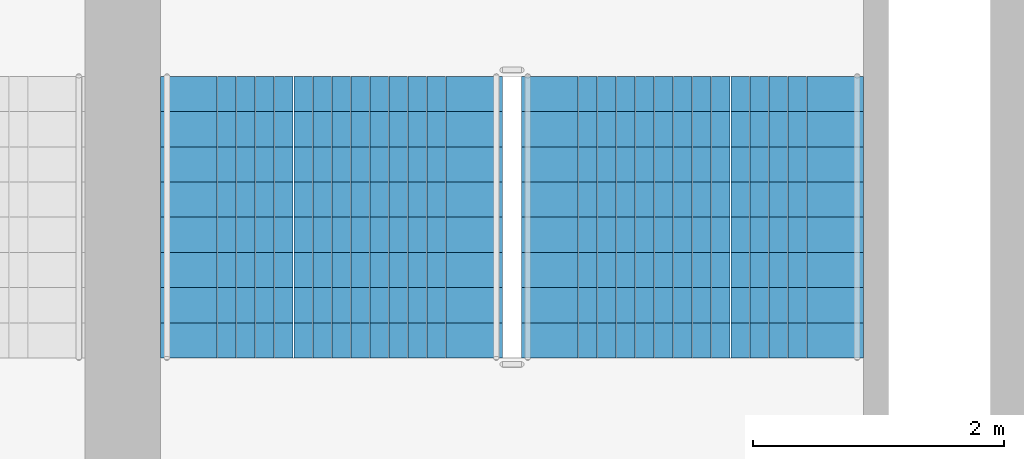
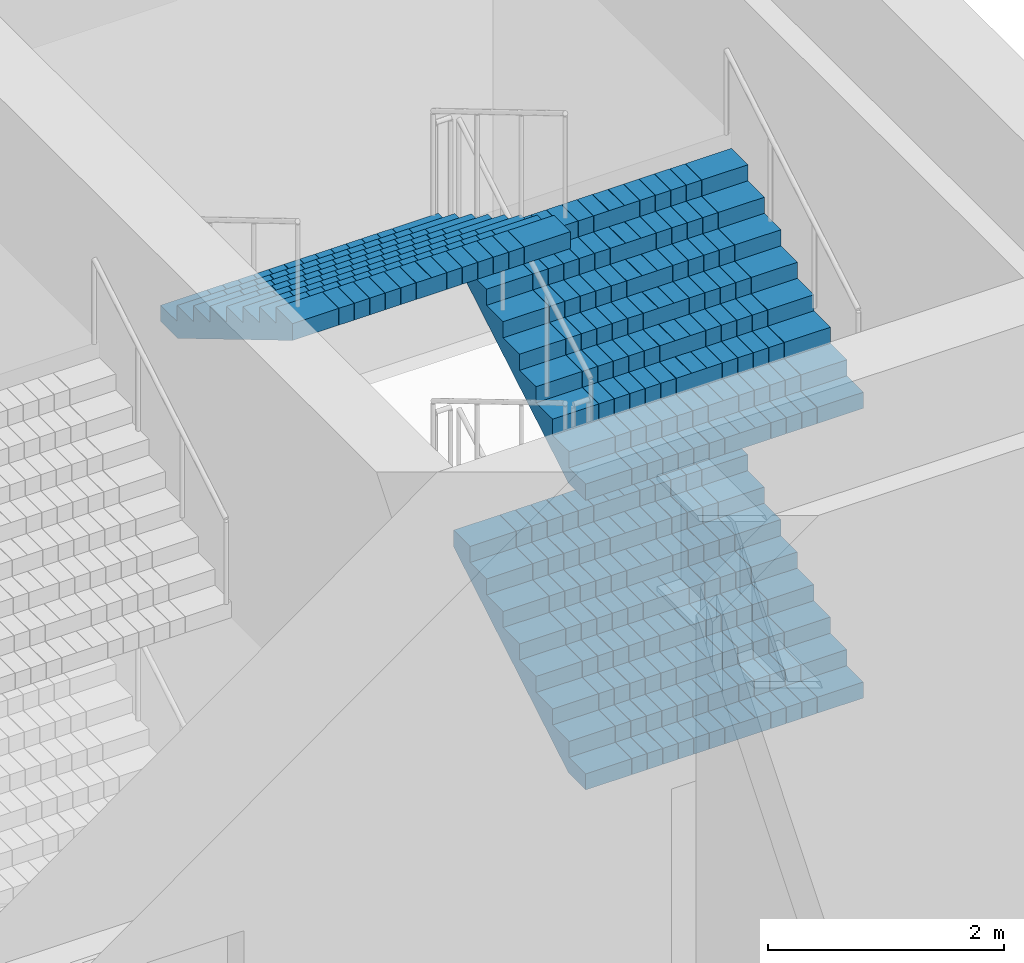
# One storey, part 50 of 61: 3 stair flights, 1 element without a shape of its own.
"""IFC4 building model written with IfcOpenShell, lengths in metres."""

from ifc_helpers import new_model, si_unit, direction, frame, origin, place, context, subcontext, project, spatial, polyline, outline, extrude, material, type_object, element, aggregate, save


model = new_model("IFC4")

# Units and contexts
model_context = context("Model", 3, precision=1e-05, world=origin(), true_north=direction((0.0, 1.0)))
body_context = subcontext(model_context, "Body", "Model", "MODEL_VIEW")
ifc_project = project(units=[si_unit("LENGTHUNIT", "METRE"), si_unit("AREAUNIT", "SQUARE_METRE"), si_unit("VOLUMEUNIT", "CUBIC_METRE"), si_unit("PLANEANGLEUNIT", "RADIAN"), si_unit("MASSUNIT", "GRAM", prefix="KILO")], contexts=[model_context])

# Site, building, storey
site_placement = place(None, origin())
site = spatial("IfcSite", under=ifc_project, at=site_placement, CompositionType="ELEMENT")
building_placement = place(site_placement, origin())
building = spatial("IfcBuilding", under=site, at=building_placement, Name="Corbelhall Arena Tower", CompositionType="ELEMENT")
storey_placement = place(building_placement, frame((0.0, 0.0, 31.0)))
storey = spatial("IfcBuildingStorey", under=building, at=storey_placement, Name="L04", CompositionType="ELEMENT", Elevation=31.0)

# Stair, stair flights
ifc_material = material(Name="Reinforced concrete C40/50", Category="concrete")
stair_type = type_object("IfcStairType", Name="AR-EXIT-STAIR", PredefinedType="HALF_TURN_STAIR", material=ifc_material)
stair_placement = place(storey_placement, origin())
stair = element("IfcStair", 1, at=stair_placement, inside=storey, type_object=stair_type, Name="L04 exit stair AS2", PredefinedType="HALF_TURN_STAIR")
stair_flight_type = type_object("IfcStairFlightType", Name="AR-EXIT-FLIGHT", PredefinedType="STRAIGHT", material=ifc_material)
stair_flight_1_placement = place(storey_placement, frame((45.030029296875, 27.320068359375, 0.0), z_axis=(0.0, 0.0, 1.0), x_axis=(0.0, 1.0, 0.0)))
stair_flight_1 = element("IfcStairFlight", 2, at=stair_flight_1_placement, type_object=stair_flight_type, Name="AS2 flight 1", NumberOfRisers=9, NumberOfTreads=8, PredefinedType="STRAIGHT", RiserHeight=0.166666667, TreadLength=0.28, context=body_context, shape_type="SweptSolid", body=[
    extrude(outline(polyline([(0.0, 0.0), (0.0, 0.166748046875), (0.280029296875, 0.166748046875), (0.280029296875, 0.333251953125), (0.56005859375, 0.333251953125), (0.56005859375, 0.5), (0.840087890625, 0.5), (0.840087890625, 0.666748046875), (1.1201171875, 0.666748046875), (1.1201171875, 0.833251953125), (1.39990234375, 0.833251953125), (1.39990234375, 1.0), (1.679931640625, 1.0), (1.679931640625, 1.166748046875), (1.9599609375, 1.166748046875), (1.9599609375, 1.333251953125), (2.239990234375, 1.333251953125), (2.239990234375, 1.5), (2.239990234375, 1.158935546875), (0.29296875, 0.0), (0.0, 0.0)])), frame((0.0, 1.35986328125, 0.0), z_axis=(0.0, -1.0, 0.0), x_axis=(1.0, 0.0, 0.0)), (0.0, 0.0, 1.0), 0.449951171875),
    extrude(outline(polyline([(0.0, 0.0), (0.0, 0.166748046875), (0.280029296875, 0.166748046875), (0.280029296875, 0.333251953125), (0.56005859375, 0.333251953125), (0.56005859375, 0.5), (0.840087890625, 0.5), (0.840087890625, 0.666748046875), (1.1201171875, 0.666748046875), (1.1201171875, 0.833251953125), (1.39990234375, 0.833251953125), (1.39990234375, 1.0), (1.679931640625, 1.0), (1.679931640625, 1.166748046875), (1.9599609375, 1.166748046875), (1.9599609375, 1.333251953125), (2.239990234375, 1.333251953125), (2.239990234375, 1.5), (2.239990234375, 1.158935546875), (0.29296875, 0.0), (0.0, 0.0)])), frame((0.0, 0.906005859375, 0.0), z_axis=(0.0, -1.0, 0.0), x_axis=(1.0, 0.0, 0.0)), (0.0, 0.0, 1.0), 0.147216796875),
    extrude(outline(polyline([(0.0, 0.0), (0.0, 0.166748046875), (0.280029296875, 0.166748046875), (0.280029296875, 0.333251953125), (0.56005859375, 0.333251953125), (0.56005859375, 0.5), (0.840087890625, 0.5), (0.840087890625, 0.666748046875), (1.1201171875, 0.666748046875), (1.1201171875, 0.833251953125), (1.39990234375, 0.833251953125), (1.39990234375, 1.0), (1.679931640625, 1.0), (1.679931640625, 1.166748046875), (1.9599609375, 1.166748046875), (1.9599609375, 1.333251953125), (2.239990234375, 1.333251953125), (2.239990234375, 1.5), (2.239990234375, 1.158935546875), (0.29296875, 0.0), (0.0, 0.0)])), frame((0.0, 0.754638671875, 0.0), z_axis=(0.0, -1.0, 0.0), x_axis=(1.0, 0.0, 0.0)), (0.0, 0.0, 1.0), 0.147216796875),
    extrude(outline(polyline([(0.0, 0.0), (0.0, 0.166748046875), (0.280029296875, 0.166748046875), (0.280029296875, 0.333251953125), (0.56005859375, 0.333251953125), (0.56005859375, 0.5), (0.840087890625, 0.5), (0.840087890625, 0.666748046875), (1.1201171875, 0.666748046875), (1.1201171875, 0.833251953125), (1.39990234375, 0.833251953125), (1.39990234375, 1.0), (1.679931640625, 1.0), (1.679931640625, 1.166748046875), (1.9599609375, 1.166748046875), (1.9599609375, 1.333251953125), (2.239990234375, 1.333251953125), (2.239990234375, 1.5), (2.239990234375, 1.158935546875), (0.29296875, 0.0), (0.0, 0.0)])), frame((0.0, 0.603271484375, 0.0), z_axis=(0.0, -1.0, 0.0), x_axis=(1.0, 0.0, 0.0)), (0.0, 0.0, 1.0), 0.147216796875),
    extrude(outline(polyline([(0.0, 0.0), (0.0, 0.166748046875), (0.280029296875, 0.166748046875), (0.280029296875, 0.333251953125), (0.56005859375, 0.333251953125), (0.56005859375, 0.5), (0.840087890625, 0.5), (0.840087890625, 0.666748046875), (1.1201171875, 0.666748046875), (1.1201171875, 0.833251953125), (1.39990234375, 0.833251953125), (1.39990234375, 1.0), (1.679931640625, 1.0), (1.679931640625, 1.166748046875), (1.9599609375, 1.166748046875), (1.9599609375, 1.333251953125), (2.239990234375, 1.333251953125), (2.239990234375, 1.5), (2.239990234375, 1.158935546875), (0.29296875, 0.0), (0.0, 0.0)])), frame((0.0, 0.451904296875, 0.0), z_axis=(0.0, -1.0, 0.0), x_axis=(1.0, 0.0, 0.0)), (0.0, 0.0, 1.0), 0.147216796875),
    extrude(outline(polyline([(0.0, 0.0), (0.0, 0.166748046875), (0.280029296875, 0.166748046875), (0.280029296875, 0.333251953125), (0.56005859375, 0.333251953125), (0.56005859375, 0.5), (0.840087890625, 0.5), (0.840087890625, 0.666748046875), (1.1201171875, 0.666748046875), (1.1201171875, 0.833251953125), (1.39990234375, 0.833251953125), (1.39990234375, 1.0), (1.679931640625, 1.0), (1.679931640625, 1.166748046875), (1.9599609375, 1.166748046875), (1.9599609375, 1.333251953125), (2.239990234375, 1.333251953125), (2.239990234375, 1.5), (2.239990234375, 1.158935546875), (0.29296875, 0.0), (0.0, 0.0)])), frame((0.0, 0.30078125, 0.0), z_axis=(0.0, -1.0, 0.0), x_axis=(1.0, 0.0, 0.0)), (0.0, 0.0, 1.0), 0.147216796875),
    extrude(outline(polyline([(0.0, 0.0), (0.0, 0.166748046875), (0.280029296875, 0.166748046875), (0.280029296875, 0.333251953125), (0.56005859375, 0.333251953125), (0.56005859375, 0.5), (0.840087890625, 0.5), (0.840087890625, 0.666748046875), (1.1201171875, 0.666748046875), (1.1201171875, 0.833251953125), (1.39990234375, 0.833251953125), (1.39990234375, 1.0), (1.679931640625, 1.0), (1.679931640625, 1.166748046875), (1.9599609375, 1.166748046875), (1.9599609375, 1.333251953125), (2.239990234375, 1.333251953125), (2.239990234375, 1.5), (2.239990234375, 1.158935546875), (0.29296875, 0.0), (0.0, 0.0)])), frame((0.0, 0.1494140625, 0.0), z_axis=(0.0, -1.0, 0.0), x_axis=(1.0, 0.0, 0.0)), (0.0, 0.0, 1.0), 0.147216796875),
    extrude(outline(polyline([(0.0, 0.0), (0.0, 0.166748046875), (0.280029296875, 0.166748046875), (0.280029296875, 0.333251953125), (0.56005859375, 0.333251953125), (0.56005859375, 0.5), (0.840087890625, 0.5), (0.840087890625, 0.666748046875), (1.1201171875, 0.666748046875), (1.1201171875, 0.833251953125), (1.39990234375, 0.833251953125), (1.39990234375, 1.0), (1.679931640625, 1.0), (1.679931640625, 1.166748046875), (1.9599609375, 1.166748046875), (1.9599609375, 1.333251953125), (2.239990234375, 1.333251953125), (2.239990234375, 1.5), (2.239990234375, 1.158935546875), (0.29296875, 0.0), (0.0, 0.0)])), frame((0.0, -0.001953125, 0.0), z_axis=(0.0, -1.0, 0.0), x_axis=(1.0, 0.0, 0.0)), (0.0, 0.0, 1.0), 0.147216796875),
    extrude(outline(polyline([(0.0, 0.0), (0.0, 0.166748046875), (0.280029296875, 0.166748046875), (0.280029296875, 0.333251953125), (0.56005859375, 0.333251953125), (0.56005859375, 0.5), (0.840087890625, 0.5), (0.840087890625, 0.666748046875), (1.1201171875, 0.666748046875), (1.1201171875, 0.833251953125), (1.39990234375, 0.833251953125), (1.39990234375, 1.0), (1.679931640625, 1.0), (1.679931640625, 1.166748046875), (1.9599609375, 1.166748046875), (1.9599609375, 1.333251953125), (2.239990234375, 1.333251953125), (2.239990234375, 1.5), (2.239990234375, 1.158935546875), (0.29296875, 0.0), (0.0, 0.0)])), frame((0.0, -0.1533203125, 0.0), z_axis=(0.0, -1.0, 0.0), x_axis=(1.0, 0.0, 0.0)), (0.0, 0.0, 1.0), 0.147216796875),
    extrude(outline(polyline([(0.0, 0.0), (0.0, 0.166748046875), (0.280029296875, 0.166748046875), (0.280029296875, 0.333251953125), (0.56005859375, 0.333251953125), (0.56005859375, 0.5), (0.840087890625, 0.5), (0.840087890625, 0.666748046875), (1.1201171875, 0.666748046875), (1.1201171875, 0.833251953125), (1.39990234375, 0.833251953125), (1.39990234375, 1.0), (1.679931640625, 1.0), (1.679931640625, 1.166748046875), (1.9599609375, 1.166748046875), (1.9599609375, 1.333251953125), (2.239990234375, 1.333251953125), (2.239990234375, 1.5), (2.239990234375, 1.158935546875), (0.29296875, 0.0), (0.0, 0.0)])), frame((0.0, -0.3046875, 0.0), z_axis=(0.0, -1.0, 0.0), x_axis=(1.0, 0.0, 0.0)), (0.0, 0.0, 1.0), 0.147216796875),
    extrude(outline(polyline([(0.0, 0.0), (0.0, 0.166748046875), (0.280029296875, 0.166748046875), (0.280029296875, 0.333251953125), (0.56005859375, 0.333251953125), (0.56005859375, 0.5), (0.840087890625, 0.5), (0.840087890625, 0.666748046875), (1.1201171875, 0.666748046875), (1.1201171875, 0.833251953125), (1.39990234375, 0.833251953125), (1.39990234375, 1.0), (1.679931640625, 1.0), (1.679931640625, 1.166748046875), (1.9599609375, 1.166748046875), (1.9599609375, 1.333251953125), (2.239990234375, 1.333251953125), (2.239990234375, 1.5), (2.239990234375, 1.158935546875), (0.29296875, 0.0), (0.0, 0.0)])), frame((0.0, -0.4560546875, 0.0), z_axis=(0.0, -1.0, 0.0), x_axis=(1.0, 0.0, 0.0)), (0.0, 0.0, 1.0), 0.147216796875),
    extrude(outline(polyline([(0.0, 0.0), (0.0, 0.166748046875), (0.280029296875, 0.166748046875), (0.280029296875, 0.333251953125), (0.56005859375, 0.333251953125), (0.56005859375, 0.5), (0.840087890625, 0.5), (0.840087890625, 0.666748046875), (1.1201171875, 0.666748046875), (1.1201171875, 0.833251953125), (1.39990234375, 0.833251953125), (1.39990234375, 1.0), (1.679931640625, 1.0), (1.679931640625, 1.166748046875), (1.9599609375, 1.166748046875), (1.9599609375, 1.333251953125), (2.239990234375, 1.333251953125), (2.239990234375, 1.5), (2.239990234375, 1.158935546875), (0.29296875, 0.0), (0.0, 0.0)])), frame((0.0, -0.607421875, 0.0), z_axis=(0.0, -1.0, 0.0), x_axis=(1.0, 0.0, 0.0)), (0.0, 0.0, 1.0), 0.147216796875),
    extrude(outline(polyline([(0.0, 0.0), (0.0, 0.166748046875), (0.280029296875, 0.166748046875), (0.280029296875, 0.333251953125), (0.56005859375, 0.333251953125), (0.56005859375, 0.5), (0.840087890625, 0.5), (0.840087890625, 0.666748046875), (1.1201171875, 0.666748046875), (1.1201171875, 0.833251953125), (1.39990234375, 0.833251953125), (1.39990234375, 1.0), (1.679931640625, 1.0), (1.679931640625, 1.166748046875), (1.9599609375, 1.166748046875), (1.9599609375, 1.333251953125), (2.239990234375, 1.333251953125), (2.239990234375, 1.5), (2.239990234375, 1.158935546875), (0.29296875, 0.0), (0.0, 0.0)])), frame((0.0, -0.758544921875, 0.0), z_axis=(0.0, -1.0, 0.0), x_axis=(1.0, 0.0, 0.0)), (0.0, 0.0, 1.0), 0.147216796875),
    extrude(outline(polyline([(0.0, 0.0), (0.0, 0.166748046875), (0.280029296875, 0.166748046875), (0.280029296875, 0.333251953125), (0.56005859375, 0.333251953125), (0.56005859375, 0.5), (0.840087890625, 0.5), (0.840087890625, 0.666748046875), (1.1201171875, 0.666748046875), (1.1201171875, 0.833251953125), (1.39990234375, 0.833251953125), (1.39990234375, 1.0), (1.679931640625, 1.0), (1.679931640625, 1.166748046875), (1.9599609375, 1.166748046875), (1.9599609375, 1.333251953125), (2.239990234375, 1.333251953125), (2.239990234375, 1.5), (2.239990234375, 1.158935546875), (0.29296875, 0.0), (0.0, 0.0)])), frame((0.0, -0.909912109375, 0.0), z_axis=(0.0, -1.0, 0.0), x_axis=(1.0, 0.0, 0.0)), (0.0, 0.0, 1.0), 0.449951171875),
])
stair_flight_2_placement = place(storey_placement, frame((45.030029296875, 27.320068359375, 3.0), z_axis=(0.0, 0.0, 1.0), x_axis=(0.0, 1.0, 0.0)))
stair_flight_2 = element("IfcStairFlight", 3, at=stair_flight_2_placement, type_object=stair_flight_type, Name="AS2 flight 3", NumberOfRisers=9, NumberOfTreads=8, PredefinedType="STRAIGHT", RiserHeight=0.166666667, TreadLength=0.28, context=body_context, shape_type="SweptSolid", body=[
    extrude(outline(polyline([(0.0, 0.0), (0.0, 0.166748046875), (0.280029296875, 0.166748046875), (0.280029296875, 0.333251953125), (0.56005859375, 0.333251953125), (0.56005859375, 0.5), (0.840087890625, 0.5), (0.840087890625, 0.666748046875), (1.1201171875, 0.666748046875), (1.1201171875, 0.833251953125), (1.39990234375, 0.833251953125), (1.39990234375, 1.0), (1.679931640625, 1.0), (1.679931640625, 1.166748046875), (1.9599609375, 1.166748046875), (1.9599609375, 1.333251953125), (2.239990234375, 1.333251953125), (2.239990234375, 1.5), (2.239990234375, 1.158935546875), (0.29296875, 0.0), (0.0, 0.0)])), frame((0.0, 1.35986328125, 0.0), z_axis=(0.0, -1.0, 0.0), x_axis=(1.0, 0.0, 0.0)), (0.0, 0.0, 1.0), 0.449951171875),
    extrude(outline(polyline([(0.0, 0.0), (0.0, 0.166748046875), (0.280029296875, 0.166748046875), (0.280029296875, 0.333251953125), (0.56005859375, 0.333251953125), (0.56005859375, 0.5), (0.840087890625, 0.5), (0.840087890625, 0.666748046875), (1.1201171875, 0.666748046875), (1.1201171875, 0.833251953125), (1.39990234375, 0.833251953125), (1.39990234375, 1.0), (1.679931640625, 1.0), (1.679931640625, 1.166748046875), (1.9599609375, 1.166748046875), (1.9599609375, 1.333251953125), (2.239990234375, 1.333251953125), (2.239990234375, 1.5), (2.239990234375, 1.158935546875), (0.29296875, 0.0), (0.0, 0.0)])), frame((0.0, 0.906005859375, 0.0), z_axis=(0.0, -1.0, 0.0), x_axis=(1.0, 0.0, 0.0)), (0.0, 0.0, 1.0), 0.147216796875),
    extrude(outline(polyline([(0.0, 0.0), (0.0, 0.166748046875), (0.280029296875, 0.166748046875), (0.280029296875, 0.333251953125), (0.56005859375, 0.333251953125), (0.56005859375, 0.5), (0.840087890625, 0.5), (0.840087890625, 0.666748046875), (1.1201171875, 0.666748046875), (1.1201171875, 0.833251953125), (1.39990234375, 0.833251953125), (1.39990234375, 1.0), (1.679931640625, 1.0), (1.679931640625, 1.166748046875), (1.9599609375, 1.166748046875), (1.9599609375, 1.333251953125), (2.239990234375, 1.333251953125), (2.239990234375, 1.5), (2.239990234375, 1.158935546875), (0.29296875, 0.0), (0.0, 0.0)])), frame((0.0, 0.754638671875, 0.0), z_axis=(0.0, -1.0, 0.0), x_axis=(1.0, 0.0, 0.0)), (0.0, 0.0, 1.0), 0.147216796875),
    extrude(outline(polyline([(0.0, 0.0), (0.0, 0.166748046875), (0.280029296875, 0.166748046875), (0.280029296875, 0.333251953125), (0.56005859375, 0.333251953125), (0.56005859375, 0.5), (0.840087890625, 0.5), (0.840087890625, 0.666748046875), (1.1201171875, 0.666748046875), (1.1201171875, 0.833251953125), (1.39990234375, 0.833251953125), (1.39990234375, 1.0), (1.679931640625, 1.0), (1.679931640625, 1.166748046875), (1.9599609375, 1.166748046875), (1.9599609375, 1.333251953125), (2.239990234375, 1.333251953125), (2.239990234375, 1.5), (2.239990234375, 1.158935546875), (0.29296875, 0.0), (0.0, 0.0)])), frame((0.0, 0.603271484375, 0.0), z_axis=(0.0, -1.0, 0.0), x_axis=(1.0, 0.0, 0.0)), (0.0, 0.0, 1.0), 0.147216796875),
    extrude(outline(polyline([(0.0, 0.0), (0.0, 0.166748046875), (0.280029296875, 0.166748046875), (0.280029296875, 0.333251953125), (0.56005859375, 0.333251953125), (0.56005859375, 0.5), (0.840087890625, 0.5), (0.840087890625, 0.666748046875), (1.1201171875, 0.666748046875), (1.1201171875, 0.833251953125), (1.39990234375, 0.833251953125), (1.39990234375, 1.0), (1.679931640625, 1.0), (1.679931640625, 1.166748046875), (1.9599609375, 1.166748046875), (1.9599609375, 1.333251953125), (2.239990234375, 1.333251953125), (2.239990234375, 1.5), (2.239990234375, 1.158935546875), (0.29296875, 0.0), (0.0, 0.0)])), frame((0.0, 0.451904296875, 0.0), z_axis=(0.0, -1.0, 0.0), x_axis=(1.0, 0.0, 0.0)), (0.0, 0.0, 1.0), 0.147216796875),
    extrude(outline(polyline([(0.0, 0.0), (0.0, 0.166748046875), (0.280029296875, 0.166748046875), (0.280029296875, 0.333251953125), (0.56005859375, 0.333251953125), (0.56005859375, 0.5), (0.840087890625, 0.5), (0.840087890625, 0.666748046875), (1.1201171875, 0.666748046875), (1.1201171875, 0.833251953125), (1.39990234375, 0.833251953125), (1.39990234375, 1.0), (1.679931640625, 1.0), (1.679931640625, 1.166748046875), (1.9599609375, 1.166748046875), (1.9599609375, 1.333251953125), (2.239990234375, 1.333251953125), (2.239990234375, 1.5), (2.239990234375, 1.158935546875), (0.29296875, 0.0), (0.0, 0.0)])), frame((0.0, 0.30078125, 0.0), z_axis=(0.0, -1.0, 0.0), x_axis=(1.0, 0.0, 0.0)), (0.0, 0.0, 1.0), 0.147216796875),
    extrude(outline(polyline([(0.0, 0.0), (0.0, 0.166748046875), (0.280029296875, 0.166748046875), (0.280029296875, 0.333251953125), (0.56005859375, 0.333251953125), (0.56005859375, 0.5), (0.840087890625, 0.5), (0.840087890625, 0.666748046875), (1.1201171875, 0.666748046875), (1.1201171875, 0.833251953125), (1.39990234375, 0.833251953125), (1.39990234375, 1.0), (1.679931640625, 1.0), (1.679931640625, 1.166748046875), (1.9599609375, 1.166748046875), (1.9599609375, 1.333251953125), (2.239990234375, 1.333251953125), (2.239990234375, 1.5), (2.239990234375, 1.158935546875), (0.29296875, 0.0), (0.0, 0.0)])), frame((0.0, 0.1494140625, 0.0), z_axis=(0.0, -1.0, 0.0), x_axis=(1.0, 0.0, 0.0)), (0.0, 0.0, 1.0), 0.147216796875),
    extrude(outline(polyline([(0.0, 0.0), (0.0, 0.166748046875), (0.280029296875, 0.166748046875), (0.280029296875, 0.333251953125), (0.56005859375, 0.333251953125), (0.56005859375, 0.5), (0.840087890625, 0.5), (0.840087890625, 0.666748046875), (1.1201171875, 0.666748046875), (1.1201171875, 0.833251953125), (1.39990234375, 0.833251953125), (1.39990234375, 1.0), (1.679931640625, 1.0), (1.679931640625, 1.166748046875), (1.9599609375, 1.166748046875), (1.9599609375, 1.333251953125), (2.239990234375, 1.333251953125), (2.239990234375, 1.5), (2.239990234375, 1.158935546875), (0.29296875, 0.0), (0.0, 0.0)])), frame((0.0, -0.001953125, 0.0), z_axis=(0.0, -1.0, 0.0), x_axis=(1.0, 0.0, 0.0)), (0.0, 0.0, 1.0), 0.147216796875),
    extrude(outline(polyline([(0.0, 0.0), (0.0, 0.166748046875), (0.280029296875, 0.166748046875), (0.280029296875, 0.333251953125), (0.56005859375, 0.333251953125), (0.56005859375, 0.5), (0.840087890625, 0.5), (0.840087890625, 0.666748046875), (1.1201171875, 0.666748046875), (1.1201171875, 0.833251953125), (1.39990234375, 0.833251953125), (1.39990234375, 1.0), (1.679931640625, 1.0), (1.679931640625, 1.166748046875), (1.9599609375, 1.166748046875), (1.9599609375, 1.333251953125), (2.239990234375, 1.333251953125), (2.239990234375, 1.5), (2.239990234375, 1.158935546875), (0.29296875, 0.0), (0.0, 0.0)])), frame((0.0, -0.1533203125, 0.0), z_axis=(0.0, -1.0, 0.0), x_axis=(1.0, 0.0, 0.0)), (0.0, 0.0, 1.0), 0.147216796875),
    extrude(outline(polyline([(0.0, 0.0), (0.0, 0.166748046875), (0.280029296875, 0.166748046875), (0.280029296875, 0.333251953125), (0.56005859375, 0.333251953125), (0.56005859375, 0.5), (0.840087890625, 0.5), (0.840087890625, 0.666748046875), (1.1201171875, 0.666748046875), (1.1201171875, 0.833251953125), (1.39990234375, 0.833251953125), (1.39990234375, 1.0), (1.679931640625, 1.0), (1.679931640625, 1.166748046875), (1.9599609375, 1.166748046875), (1.9599609375, 1.333251953125), (2.239990234375, 1.333251953125), (2.239990234375, 1.5), (2.239990234375, 1.158935546875), (0.29296875, 0.0), (0.0, 0.0)])), frame((0.0, -0.3046875, 0.0), z_axis=(0.0, -1.0, 0.0), x_axis=(1.0, 0.0, 0.0)), (0.0, 0.0, 1.0), 0.147216796875),
    extrude(outline(polyline([(0.0, 0.0), (0.0, 0.166748046875), (0.280029296875, 0.166748046875), (0.280029296875, 0.333251953125), (0.56005859375, 0.333251953125), (0.56005859375, 0.5), (0.840087890625, 0.5), (0.840087890625, 0.666748046875), (1.1201171875, 0.666748046875), (1.1201171875, 0.833251953125), (1.39990234375, 0.833251953125), (1.39990234375, 1.0), (1.679931640625, 1.0), (1.679931640625, 1.166748046875), (1.9599609375, 1.166748046875), (1.9599609375, 1.333251953125), (2.239990234375, 1.333251953125), (2.239990234375, 1.5), (2.239990234375, 1.158935546875), (0.29296875, 0.0), (0.0, 0.0)])), frame((0.0, -0.4560546875, 0.0), z_axis=(0.0, -1.0, 0.0), x_axis=(1.0, 0.0, 0.0)), (0.0, 0.0, 1.0), 0.147216796875),
    extrude(outline(polyline([(0.0, 0.0), (0.0, 0.166748046875), (0.280029296875, 0.166748046875), (0.280029296875, 0.333251953125), (0.56005859375, 0.333251953125), (0.56005859375, 0.5), (0.840087890625, 0.5), (0.840087890625, 0.666748046875), (1.1201171875, 0.666748046875), (1.1201171875, 0.833251953125), (1.39990234375, 0.833251953125), (1.39990234375, 1.0), (1.679931640625, 1.0), (1.679931640625, 1.166748046875), (1.9599609375, 1.166748046875), (1.9599609375, 1.333251953125), (2.239990234375, 1.333251953125), (2.239990234375, 1.5), (2.239990234375, 1.158935546875), (0.29296875, 0.0), (0.0, 0.0)])), frame((0.0, -0.607421875, 0.0), z_axis=(0.0, -1.0, 0.0), x_axis=(1.0, 0.0, 0.0)), (0.0, 0.0, 1.0), 0.147216796875),
    extrude(outline(polyline([(0.0, 0.0), (0.0, 0.166748046875), (0.280029296875, 0.166748046875), (0.280029296875, 0.333251953125), (0.56005859375, 0.333251953125), (0.56005859375, 0.5), (0.840087890625, 0.5), (0.840087890625, 0.666748046875), (1.1201171875, 0.666748046875), (1.1201171875, 0.833251953125), (1.39990234375, 0.833251953125), (1.39990234375, 1.0), (1.679931640625, 1.0), (1.679931640625, 1.166748046875), (1.9599609375, 1.166748046875), (1.9599609375, 1.333251953125), (2.239990234375, 1.333251953125), (2.239990234375, 1.5), (2.239990234375, 1.158935546875), (0.29296875, 0.0), (0.0, 0.0)])), frame((0.0, -0.758544921875, 0.0), z_axis=(0.0, -1.0, 0.0), x_axis=(1.0, 0.0, 0.0)), (0.0, 0.0, 1.0), 0.147216796875),
    extrude(outline(polyline([(0.0, 0.0), (0.0, 0.166748046875), (0.280029296875, 0.166748046875), (0.280029296875, 0.333251953125), (0.56005859375, 0.333251953125), (0.56005859375, 0.5), (0.840087890625, 0.5), (0.840087890625, 0.666748046875), (1.1201171875, 0.666748046875), (1.1201171875, 0.833251953125), (1.39990234375, 0.833251953125), (1.39990234375, 1.0), (1.679931640625, 1.0), (1.679931640625, 1.166748046875), (1.9599609375, 1.166748046875), (1.9599609375, 1.333251953125), (2.239990234375, 1.333251953125), (2.239990234375, 1.5), (2.239990234375, 1.158935546875), (0.29296875, 0.0), (0.0, 0.0)])), frame((0.0, -0.909912109375, 0.0), z_axis=(0.0, -1.0, 0.0), x_axis=(1.0, 0.0, 0.0)), (0.0, 0.0, 1.0), 0.449951171875),
])
stair_flight_3_placement = place(storey_placement, frame((42.159912109375, 29.56005859375, 4.5), z_axis=(0.0, 0.0, 1.0), x_axis=(0.0, -1.0, 0.0)))
stair_flight_3 = element("IfcStairFlight", 4, at=stair_flight_3_placement, type_object=stair_flight_type, Name="AS2 flight 4", NumberOfRisers=9, NumberOfTreads=8, PredefinedType="STRAIGHT", RiserHeight=0.166666667, TreadLength=0.28, context=body_context, shape_type="SweptSolid", body=[
    extrude(outline(polyline([(0.0, 0.0), (0.0, 0.166748046875), (0.280029296875, 0.166748046875), (0.280029296875, 0.333251953125), (0.56005859375, 0.333251953125), (0.56005859375, 0.5), (0.840087890625, 0.5), (0.840087890625, 0.666748046875), (1.1201171875, 0.666748046875), (1.1201171875, 0.833251953125), (1.39990234375, 0.833251953125), (1.39990234375, 1.0), (1.679931640625, 1.0), (1.679931640625, 1.166748046875), (1.9599609375, 1.166748046875), (1.9599609375, 1.333251953125), (2.239990234375, 1.333251953125), (2.239990234375, 1.5), (2.239990234375, 1.158935546875), (0.29296875, 0.0), (0.0, 0.0)])), frame((0.0, 1.35986328125, 0.0), z_axis=(0.0, -1.0, 0.0), x_axis=(1.0, 0.0, 0.0)), (0.0, 0.0, 1.0), 0.449951171875),
    extrude(outline(polyline([(0.0, 0.0), (0.0, 0.166748046875), (0.280029296875, 0.166748046875), (0.280029296875, 0.333251953125), (0.56005859375, 0.333251953125), (0.56005859375, 0.5), (0.840087890625, 0.5), (0.840087890625, 0.666748046875), (1.1201171875, 0.666748046875), (1.1201171875, 0.833251953125), (1.39990234375, 0.833251953125), (1.39990234375, 1.0), (1.679931640625, 1.0), (1.679931640625, 1.166748046875), (1.9599609375, 1.166748046875), (1.9599609375, 1.333251953125), (2.239990234375, 1.333251953125), (2.239990234375, 1.5), (2.239990234375, 1.158935546875), (0.29296875, 0.0), (0.0, 0.0)])), frame((0.0, 0.906005859375, 0.0), z_axis=(0.0, -1.0, 0.0), x_axis=(1.0, 0.0, 0.0)), (0.0, 0.0, 1.0), 0.147216796875),
    extrude(outline(polyline([(0.0, 0.0), (0.0, 0.166748046875), (0.280029296875, 0.166748046875), (0.280029296875, 0.333251953125), (0.56005859375, 0.333251953125), (0.56005859375, 0.5), (0.840087890625, 0.5), (0.840087890625, 0.666748046875), (1.1201171875, 0.666748046875), (1.1201171875, 0.833251953125), (1.39990234375, 0.833251953125), (1.39990234375, 1.0), (1.679931640625, 1.0), (1.679931640625, 1.166748046875), (1.9599609375, 1.166748046875), (1.9599609375, 1.333251953125), (2.239990234375, 1.333251953125), (2.239990234375, 1.5), (2.239990234375, 1.158935546875), (0.29296875, 0.0), (0.0, 0.0)])), frame((0.0, 0.754638671875, 0.0), z_axis=(0.0, -1.0, 0.0), x_axis=(1.0, 0.0, 0.0)), (0.0, 0.0, 1.0), 0.147216796875),
    extrude(outline(polyline([(0.0, 0.0), (0.0, 0.166748046875), (0.280029296875, 0.166748046875), (0.280029296875, 0.333251953125), (0.56005859375, 0.333251953125), (0.56005859375, 0.5), (0.840087890625, 0.5), (0.840087890625, 0.666748046875), (1.1201171875, 0.666748046875), (1.1201171875, 0.833251953125), (1.39990234375, 0.833251953125), (1.39990234375, 1.0), (1.679931640625, 1.0), (1.679931640625, 1.166748046875), (1.9599609375, 1.166748046875), (1.9599609375, 1.333251953125), (2.239990234375, 1.333251953125), (2.239990234375, 1.5), (2.239990234375, 1.158935546875), (0.29296875, 0.0), (0.0, 0.0)])), frame((0.0, 0.603271484375, 0.0), z_axis=(0.0, -1.0, 0.0), x_axis=(1.0, 0.0, 0.0)), (0.0, 0.0, 1.0), 0.147216796875),
    extrude(outline(polyline([(0.0, 0.0), (0.0, 0.166748046875), (0.280029296875, 0.166748046875), (0.280029296875, 0.333251953125), (0.56005859375, 0.333251953125), (0.56005859375, 0.5), (0.840087890625, 0.5), (0.840087890625, 0.666748046875), (1.1201171875, 0.666748046875), (1.1201171875, 0.833251953125), (1.39990234375, 0.833251953125), (1.39990234375, 1.0), (1.679931640625, 1.0), (1.679931640625, 1.166748046875), (1.9599609375, 1.166748046875), (1.9599609375, 1.333251953125), (2.239990234375, 1.333251953125), (2.239990234375, 1.5), (2.239990234375, 1.158935546875), (0.29296875, 0.0), (0.0, 0.0)])), frame((0.0, 0.451904296875, 0.0), z_axis=(0.0, -1.0, 0.0), x_axis=(1.0, 0.0, 0.0)), (0.0, 0.0, 1.0), 0.147216796875),
    extrude(outline(polyline([(0.0, 0.0), (0.0, 0.166748046875), (0.280029296875, 0.166748046875), (0.280029296875, 0.333251953125), (0.56005859375, 0.333251953125), (0.56005859375, 0.5), (0.840087890625, 0.5), (0.840087890625, 0.666748046875), (1.1201171875, 0.666748046875), (1.1201171875, 0.833251953125), (1.39990234375, 0.833251953125), (1.39990234375, 1.0), (1.679931640625, 1.0), (1.679931640625, 1.166748046875), (1.9599609375, 1.166748046875), (1.9599609375, 1.333251953125), (2.239990234375, 1.333251953125), (2.239990234375, 1.5), (2.239990234375, 1.158935546875), (0.29296875, 0.0), (0.0, 0.0)])), frame((0.0, 0.30078125, 0.0), z_axis=(0.0, -1.0, 0.0), x_axis=(1.0, 0.0, 0.0)), (0.0, 0.0, 1.0), 0.147216796875),
    extrude(outline(polyline([(0.0, 0.0), (0.0, 0.166748046875), (0.280029296875, 0.166748046875), (0.280029296875, 0.333251953125), (0.56005859375, 0.333251953125), (0.56005859375, 0.5), (0.840087890625, 0.5), (0.840087890625, 0.666748046875), (1.1201171875, 0.666748046875), (1.1201171875, 0.833251953125), (1.39990234375, 0.833251953125), (1.39990234375, 1.0), (1.679931640625, 1.0), (1.679931640625, 1.166748046875), (1.9599609375, 1.166748046875), (1.9599609375, 1.333251953125), (2.239990234375, 1.333251953125), (2.239990234375, 1.5), (2.239990234375, 1.158935546875), (0.29296875, 0.0), (0.0, 0.0)])), frame((0.0, 0.1494140625, 0.0), z_axis=(0.0, -1.0, 0.0), x_axis=(1.0, 0.0, 0.0)), (0.0, 0.0, 1.0), 0.147216796875),
    extrude(outline(polyline([(0.0, 0.0), (0.0, 0.166748046875), (0.280029296875, 0.166748046875), (0.280029296875, 0.333251953125), (0.56005859375, 0.333251953125), (0.56005859375, 0.5), (0.840087890625, 0.5), (0.840087890625, 0.666748046875), (1.1201171875, 0.666748046875), (1.1201171875, 0.833251953125), (1.39990234375, 0.833251953125), (1.39990234375, 1.0), (1.679931640625, 1.0), (1.679931640625, 1.166748046875), (1.9599609375, 1.166748046875), (1.9599609375, 1.333251953125), (2.239990234375, 1.333251953125), (2.239990234375, 1.5), (2.239990234375, 1.158935546875), (0.29296875, 0.0), (0.0, 0.0)])), frame((0.0, -0.001953125, 0.0), z_axis=(0.0, -1.0, 0.0), x_axis=(1.0, 0.0, 0.0)), (0.0, 0.0, 1.0), 0.147216796875),
    extrude(outline(polyline([(0.0, 0.0), (0.0, 0.166748046875), (0.280029296875, 0.166748046875), (0.280029296875, 0.333251953125), (0.56005859375, 0.333251953125), (0.56005859375, 0.5), (0.840087890625, 0.5), (0.840087890625, 0.666748046875), (1.1201171875, 0.666748046875), (1.1201171875, 0.833251953125), (1.39990234375, 0.833251953125), (1.39990234375, 1.0), (1.679931640625, 1.0), (1.679931640625, 1.166748046875), (1.9599609375, 1.166748046875), (1.9599609375, 1.333251953125), (2.239990234375, 1.333251953125), (2.239990234375, 1.5), (2.239990234375, 1.158935546875), (0.29296875, 0.0), (0.0, 0.0)])), frame((0.0, -0.1533203125, 0.0), z_axis=(0.0, -1.0, 0.0), x_axis=(1.0, 0.0, 0.0)), (0.0, 0.0, 1.0), 0.147216796875),
    extrude(outline(polyline([(0.0, 0.0), (0.0, 0.166748046875), (0.280029296875, 0.166748046875), (0.280029296875, 0.333251953125), (0.56005859375, 0.333251953125), (0.56005859375, 0.5), (0.840087890625, 0.5), (0.840087890625, 0.666748046875), (1.1201171875, 0.666748046875), (1.1201171875, 0.833251953125), (1.39990234375, 0.833251953125), (1.39990234375, 1.0), (1.679931640625, 1.0), (1.679931640625, 1.166748046875), (1.9599609375, 1.166748046875), (1.9599609375, 1.333251953125), (2.239990234375, 1.333251953125), (2.239990234375, 1.5), (2.239990234375, 1.158935546875), (0.29296875, 0.0), (0.0, 0.0)])), frame((0.0, -0.3046875, 0.0), z_axis=(0.0, -1.0, 0.0), x_axis=(1.0, 0.0, 0.0)), (0.0, 0.0, 1.0), 0.147216796875),
    extrude(outline(polyline([(0.0, 0.0), (0.0, 0.166748046875), (0.280029296875, 0.166748046875), (0.280029296875, 0.333251953125), (0.56005859375, 0.333251953125), (0.56005859375, 0.5), (0.840087890625, 0.5), (0.840087890625, 0.666748046875), (1.1201171875, 0.666748046875), (1.1201171875, 0.833251953125), (1.39990234375, 0.833251953125), (1.39990234375, 1.0), (1.679931640625, 1.0), (1.679931640625, 1.166748046875), (1.9599609375, 1.166748046875), (1.9599609375, 1.333251953125), (2.239990234375, 1.333251953125), (2.239990234375, 1.5), (2.239990234375, 1.158935546875), (0.29296875, 0.0), (0.0, 0.0)])), frame((0.0, -0.4560546875, 0.0), z_axis=(0.0, -1.0, 0.0), x_axis=(1.0, 0.0, 0.0)), (0.0, 0.0, 1.0), 0.147216796875),
    extrude(outline(polyline([(0.0, 0.0), (0.0, 0.166748046875), (0.280029296875, 0.166748046875), (0.280029296875, 0.333251953125), (0.56005859375, 0.333251953125), (0.56005859375, 0.5), (0.840087890625, 0.5), (0.840087890625, 0.666748046875), (1.1201171875, 0.666748046875), (1.1201171875, 0.833251953125), (1.39990234375, 0.833251953125), (1.39990234375, 1.0), (1.679931640625, 1.0), (1.679931640625, 1.166748046875), (1.9599609375, 1.166748046875), (1.9599609375, 1.333251953125), (2.239990234375, 1.333251953125), (2.239990234375, 1.5), (2.239990234375, 1.158935546875), (0.29296875, 0.0), (0.0, 0.0)])), frame((0.0, -0.607421875, 0.0), z_axis=(0.0, -1.0, 0.0), x_axis=(1.0, 0.0, 0.0)), (0.0, 0.0, 1.0), 0.147216796875),
    extrude(outline(polyline([(0.0, 0.0), (0.0, 0.166748046875), (0.280029296875, 0.166748046875), (0.280029296875, 0.333251953125), (0.56005859375, 0.333251953125), (0.56005859375, 0.5), (0.840087890625, 0.5), (0.840087890625, 0.666748046875), (1.1201171875, 0.666748046875), (1.1201171875, 0.833251953125), (1.39990234375, 0.833251953125), (1.39990234375, 1.0), (1.679931640625, 1.0), (1.679931640625, 1.166748046875), (1.9599609375, 1.166748046875), (1.9599609375, 1.333251953125), (2.239990234375, 1.333251953125), (2.239990234375, 1.5), (2.239990234375, 1.158935546875), (0.29296875, 0.0), (0.0, 0.0)])), frame((0.0, -0.758544921875, 0.0), z_axis=(0.0, -1.0, 0.0), x_axis=(1.0, 0.0, 0.0)), (0.0, 0.0, 1.0), 0.147216796875),
    extrude(outline(polyline([(0.0, 0.0), (0.0, 0.166748046875), (0.280029296875, 0.166748046875), (0.280029296875, 0.333251953125), (0.56005859375, 0.333251953125), (0.56005859375, 0.5), (0.840087890625, 0.5), (0.840087890625, 0.666748046875), (1.1201171875, 0.666748046875), (1.1201171875, 0.833251953125), (1.39990234375, 0.833251953125), (1.39990234375, 1.0), (1.679931640625, 1.0), (1.679931640625, 1.166748046875), (1.9599609375, 1.166748046875), (1.9599609375, 1.333251953125), (2.239990234375, 1.333251953125), (2.239990234375, 1.5), (2.239990234375, 1.158935546875), (0.29296875, 0.0), (0.0, 0.0)])), frame((0.0, -0.909912109375, 0.0), z_axis=(0.0, -1.0, 0.0), x_axis=(1.0, 0.0, 0.0)), (0.0, 0.0, 1.0), 0.449951171875),
])
aggregate(stair, [stair_flight_1, stair_flight_2, stair_flight_3])

save(model, "model.ifc")
